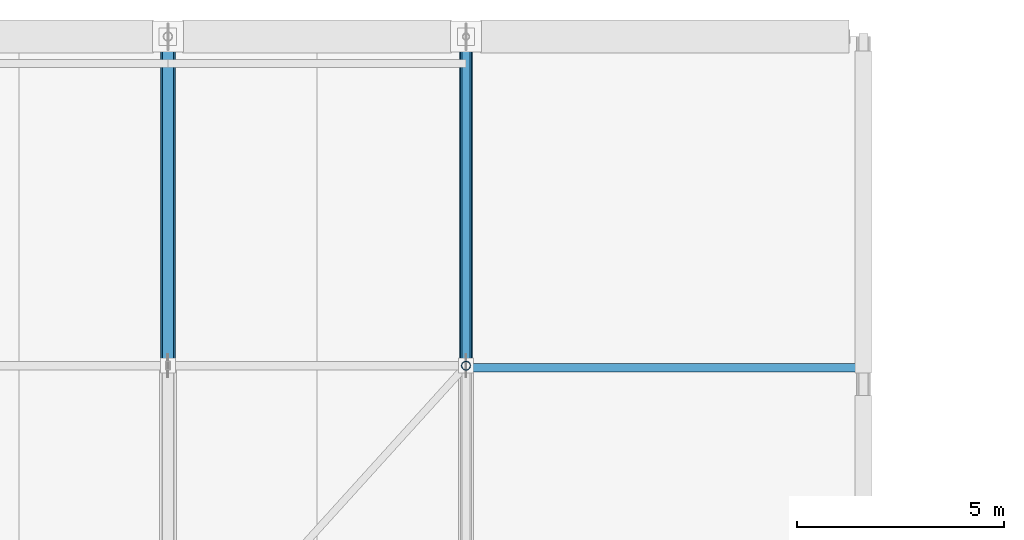
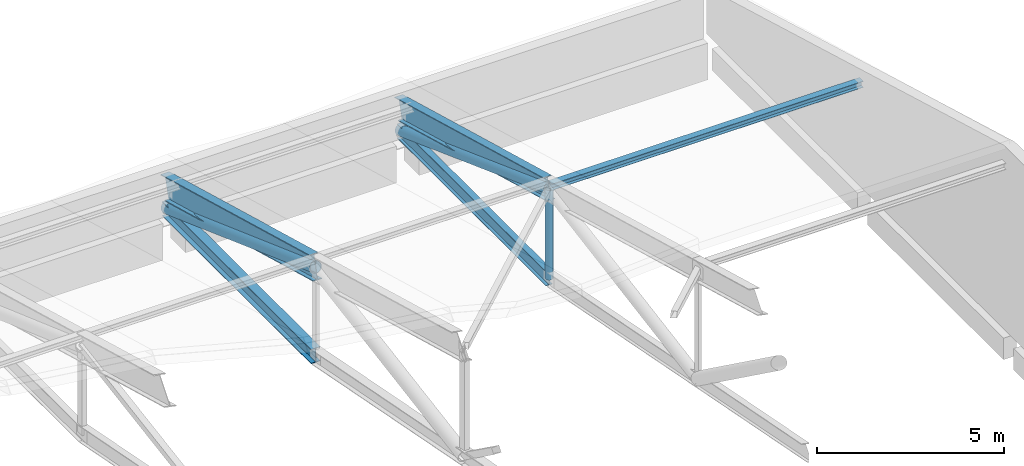
# One storey, part 24 of 53: 4 beams, 4 members.
"""IFC4 building model written with IfcOpenShell, lengths in metres."""

from ifc_helpers import new_model, si_unit, direction, frame, origin, origin_2d, place, context, subcontext, project, spatial, hollow_circle, i_section, extrude, material, material_profile, profile_set, type_object, element, save


model = new_model("IFC4")

# Units and contexts
model_context = context("Model", 3, precision=1e-05, world=origin(), true_north=direction((0.0, 1.0)))
body_context = subcontext(model_context, "Body", "Model", "MODEL_VIEW")
ifc_project = project(units=[si_unit("LENGTHUNIT", "METRE"), si_unit("AREAUNIT", "SQUARE_METRE"), si_unit("VOLUMEUNIT", "CUBIC_METRE"), si_unit("PLANEANGLEUNIT", "RADIAN"), si_unit("MASSUNIT", "GRAM", prefix="KILO")], contexts=[model_context])

# Site, building, storey
site_placement = place(None, origin())
site = spatial("IfcSite", under=ifc_project, at=site_placement, CompositionType="ELEMENT")
building_placement = place(site_placement, origin())
building = spatial("IfcBuilding", under=site, at=building_placement, Name="Pellamere Symphony Hall", CompositionType="ELEMENT")
storey_placement = place(building_placement, frame((0.0, 0.0, 24.0)))
storey = spatial("IfcBuildingStorey", under=building, at=storey_placement, Name="L05", CompositionType="ELEMENT", Elevation=24.0)

# Beams
ifc_material = material(Name="Steel CSA G40.21 350W", Category="steel")
ifc_material_profile_1 = material_profile(ifc_material, i_section(OverallWidth=0.26806640625, OverallDepth=0.77001953125, WebThickness=0.015625, FlangeThickness=0.025390625, at=origin_2d()), Name="W760X196")
ifc_profile_set_1 = profile_set([ifc_material_profile_1], Name="Steel CSA G40.21 350W")
beam_type_1 = type_object("IfcBeamType", Name="Steel Beam SB-06 W760X196", PredefinedType="BEAM", material=ifc_profile_set_1)
beam_1_placement = place(storey_placement, frame((102.0, 85.64990234375, 3.0400390625), z_axis=(0.0, 0.964092523779, -0.265566574693), x_axis=(-1.0, 0.0, 0.0)))
element("IfcBeam", 1, at=beam_1_placement, inside=storey, type_object=beam_type_1, Name="Roof Truss TR-07 Top Chord 8", PredefinedType="BEAM", context=body_context, shape_type="SweptSolid", body=[
    extrude(i_section(OverallWidth=0.26806640625, OverallDepth=0.77001953125, WebThickness=0.015625, FlangeThickness=0.025390625, at=origin_2d()), origin(), (0.0, 0.0, 1.0), 8.246337890625),
])
ifc_material_profile_2 = material_profile(ifc_material, i_section(OverallWidth=0.25390625, OverallDepth=0.68798828125, WebThickness=0.01318359375, FlangeThickness=0.02099609375, at=origin_2d()), Name="W690X152")
ifc_profile_set_2 = profile_set([ifc_material_profile_2], Name="Steel CSA G40.21 350W")
beam_type_2 = type_object("IfcBeamType", Name="Steel Beam SB-08 W690X152", PredefinedType="BEAM", material=ifc_profile_set_2)
beam_2_placement = place(storey_placement, frame((109.199951171875, 85.64990234375, 3.0810546875), z_axis=(0.0, 0.964092523779, -0.265566574693), x_axis=(-1.0, 0.0, 0.0)))
element("IfcBeam", 2, at=beam_2_placement, inside=storey, type_object=beam_type_2, Name="Roof Truss TR-08 Top Chord 8", PredefinedType="BEAM", context=body_context, shape_type="SweptSolid", body=[
    extrude(i_section(OverallWidth=0.25390625, OverallDepth=0.68798828125, WebThickness=0.01318359375, FlangeThickness=0.02099609375, at=origin_2d()), origin(), (0.0, 0.0, 1.0), 8.246337890625),
])
ifc_material_profile_3 = material_profile(ifc_material, i_section(OverallWidth=0.282958984375, OverallDepth=0.471923828125, WebThickness=0.013671875, FlangeThickness=0.022216796875, at=origin_2d()), Name="W460X144")
ifc_profile_set_3 = profile_set([ifc_material_profile_3], Name="Steel CSA G40.21 350W")
beam_type_3 = type_object("IfcBeamType", Name="Steel Beam SB-15 W460X144", PredefinedType="BEAM", material=ifc_profile_set_3)
beam_3_placement = place(storey_placement, frame((102.0, 85.64990234375, 0.159912109375), z_axis=(0.0, 1.0, 0.0), x_axis=(-1.0, 0.0, 0.0)))
element("IfcBeam", 3, at=beam_3_placement, inside=storey, type_object=beam_type_3, Name="Roof Truss TR-07 Bottom Chord 8", PredefinedType="BEAM", context=body_context, shape_type="SweptSolid", body=[
    extrude(i_section(OverallWidth=0.282958984375, OverallDepth=0.471923828125, WebThickness=0.013671875, FlangeThickness=0.022216796875, at=origin_2d()), origin(), (0.0, 0.0, 1.0), 7.9501953125),
])
ifc_material_profile_4 = material_profile(ifc_material, i_section(OverallWidth=0.194091796875, OverallDepth=0.468994140625, WebThickness=0.011474609375, FlangeThickness=0.019287109375, at=origin_2d()), Name="W460X106")
ifc_profile_set_4 = profile_set([ifc_material_profile_4], Name="Steel CSA G40.21 350W")
beam_type_4 = type_object("IfcBeamType", Name="Steel Beam SB-16 W460X106", PredefinedType="BEAM", material=ifc_profile_set_4)
beam_4_placement = place(storey_placement, frame((109.199951171875, 85.64990234375, 0.159912109375), z_axis=(0.0, 1.0, 0.0), x_axis=(-1.0, 0.0, 0.0)))
element("IfcBeam", 4, at=beam_4_placement, inside=storey, type_object=beam_type_4, Name="Roof Truss TR-08 Bottom Chord 8", PredefinedType="BEAM", context=body_context, shape_type="SweptSolid", body=[
    extrude(i_section(OverallWidth=0.194091796875, OverallDepth=0.468994140625, WebThickness=0.011474609375, FlangeThickness=0.019287109375, at=origin_2d()), origin(), (0.0, 0.0, 1.0), 7.9501953125),
])

# Members
ifc_material_profile_5 = material_profile(ifc_material, hollow_circle(Radius=0.177734375, WallThickness=0.0126953125, at=origin_2d()), Name="HSS356X13")
ifc_profile_set_5 = profile_set([ifc_material_profile_5], Name="Steel CSA G40.21 350W")
member_type_1 = type_object("IfcMemberType", Name="Steel Member SM-10 HSS356X13", PredefinedType="STRUT", material=ifc_profile_set_5)
member_1_placement = place(storey_placement, frame((102.0, 85.64990234375, 3.0400390625), z_axis=(0.0, 0.940204963596, -0.340609198979), x_axis=(-1.0, 0.0, 0.0)))
element("IfcMember", 5, at=member_1_placement, inside=storey, type_object=member_type_1, Name="Roof Truss TR-07 Web Diagonal 8", PredefinedType="STRUT", context=body_context, shape_type="SweptSolid", body=[
    extrude(hollow_circle(Radius=0.177734375, WallThickness=0.0126953125, at=origin_2d()), origin(), (0.0, 0.0, 1.0), 8.455810546875),
])
ifc_material_profile_6 = material_profile(ifc_material, hollow_circle(Radius=0.161865234375, WallThickness=0.010986328125, at=origin_2d()), Name="HSS324X11")
ifc_profile_set_6 = profile_set([ifc_material_profile_6], Name="Steel CSA G40.21 350W")
member_type_2 = type_object("IfcMemberType", Name="Steel Member SM-11 HSS324X11", PredefinedType="BRACE", material=ifc_profile_set_6)
member_2_placement = place(storey_placement, frame((109.199951171875, 85.64990234375, 3.0810546875), z_axis=(0.0, 0.938644433644, -0.344886397511), x_axis=(-1.0, 0.0, 0.0)))
element("IfcMember", 6, at=member_2_placement, inside=storey, type_object=member_type_2, Name="Roof Truss TR-08 Web Diagonal 8", PredefinedType="BRACE", context=body_context, shape_type="SweptSolid", body=[
    extrude(hollow_circle(Radius=0.161865234375, WallThickness=0.010986328125, at=origin_2d()), origin(), (0.0, 0.0, 1.0), 8.469970703125),
])
ifc_material_profile_7 = material_profile(ifc_material, hollow_circle(Radius=0.109619140625, WallThickness=0.009521484375, at=origin_2d()), Name="HSS219X10")
ifc_profile_set_7 = profile_set([ifc_material_profile_7], Name="Steel CSA G40.21 350W")
member_type_3 = type_object("IfcMemberType", Name="Steel Member SM-13 HSS219X10", PredefinedType="STRUT", material=ifc_profile_set_7)
member_3_placement = place(storey_placement, frame((109.199951171875, 85.64990234375, 0.159912109375), z_axis=(0.0, 0.0, 1.0), x_axis=(1.0, 0.0, 0.0)))
element("IfcMember", 7, at=member_3_placement, inside=storey, type_object=member_type_3, Name="Roof Truss TR-08 Vertical Post 7", PredefinedType="STRUT", context=body_context, shape_type="SweptSolid", body=[
    extrude(hollow_circle(Radius=0.109619140625, WallThickness=0.009521484375, at=origin_2d()), origin(), (0.0, 0.0, 1.0), 2.921142578125),
])
ifc_material_profile_8 = material_profile(ifc_material, i_section(OverallWidth=0.2041015625, OverallDepth=0.2060546875, WebThickness=0.0078125, FlangeThickness=0.0126953125, at=origin_2d()), Name="W200X52")
ifc_profile_set_8 = profile_set([ifc_material_profile_8], Name="Steel CSA G40.21 350W")
member_type_4 = type_object("IfcMemberType", Name="Steel Member SM-15 W200X52", PredefinedType="PURLIN", material=ifc_profile_set_8)
member_4_placement = place(storey_placement, frame((109.199951171875, 85.60009765625, 3.203857421875), z_axis=(1.0, 0.0, 0.0), x_axis=(0.0, 1.0, 0.0)))
element("IfcMember", 8, at=member_4_placement, inside=storey, type_object=member_type_4, Name="Crystal Foyer Roof Purlin E.7", PredefinedType="PURLIN", context=body_context, shape_type="SweptSolid", body=[
    extrude(i_section(OverallWidth=0.2041015625, OverallDepth=0.2060546875, WebThickness=0.0078125, FlangeThickness=0.0126953125, at=origin_2d()), origin(), (0.0, 0.0, 1.0), 9.60009765625),
])

save(model, "model.ifc")
